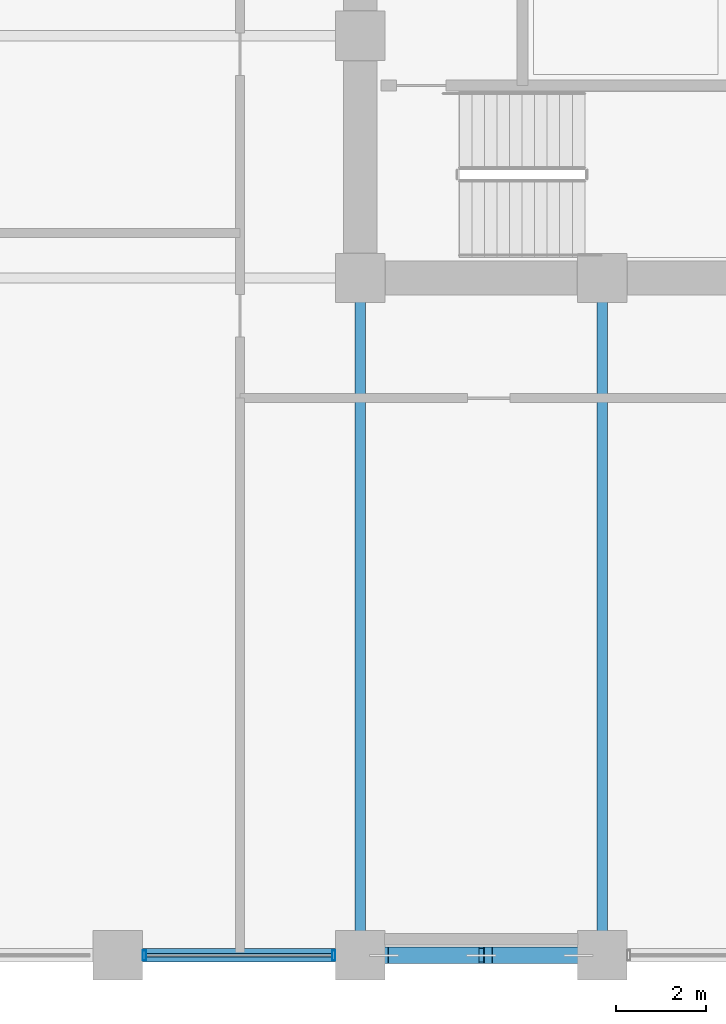
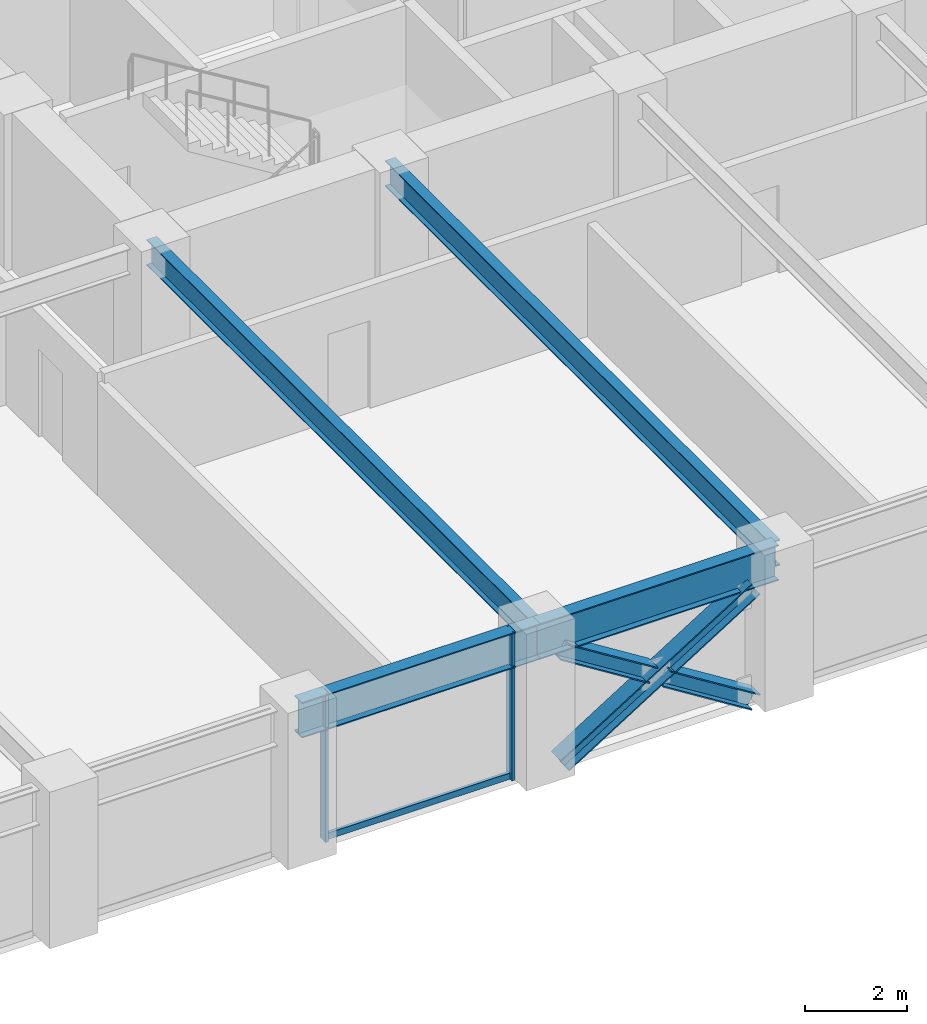
# One storey, part 4 of 29: 6 members, 4 beams, 1 element without a shape of its own.
"""IFC4 building model written with IfcOpenShell, lengths in metres."""

from ifc_helpers import new_model, si_unit, direction, frame, origin, origin_2d, place, context, subcontext, project, spatial, hollow_rectangle, i_section, extrude, material, layer, layer_set, material_profile, profile_set, type_object, element, aggregate, save


model = new_model("IFC4")

# Units and contexts
model_context = context("Model", 3, precision=1e-05, world=origin(), true_north=direction((0.0, 1.0)))
body_context = subcontext(model_context, "Body", "Model", "MODEL_VIEW")
ifc_project = project(units=[si_unit("LENGTHUNIT", "METRE"), si_unit("AREAUNIT", "SQUARE_METRE"), si_unit("VOLUMEUNIT", "CUBIC_METRE"), si_unit("PLANEANGLEUNIT", "RADIAN"), si_unit("MASSUNIT", "GRAM", prefix="KILO")], contexts=[model_context])

# Site, building, storey
site_placement = place(None, origin())
site = spatial("IfcSite", under=ifc_project, at=site_placement, CompositionType="ELEMENT")
building_placement = place(site_placement, origin())
building = spatial("IfcBuilding", under=site, at=building_placement, Name="Surkhivell Harbour Commons", CompositionType="ELEMENT")
storey_placement = place(building_placement, frame((0.0, 0.0, 90.75)))
storey = spatial("IfcBuildingStorey", under=building, at=storey_placement, Name="L23", CompositionType="ELEMENT", Elevation=90.75)

# Beams
ifc_material_1 = material(Name="Steel S355", Category="steel")
ifc_material_profile_1 = material_profile(ifc_material_1, i_section(OverallWidth=0.22998046875, OverallDepth=0.616943359375, WebThickness=0.01318359375, FlangeThickness=0.022216796875, at=origin_2d()), Name="UB610x229x140")
ifc_profile_set_1 = profile_set([ifc_material_profile_1], Name="Steel S355")
beam_type_1 = type_object("IfcBeamType", Name="BM-GRD-610B", PredefinedType="BEAM", material=ifc_profile_set_1)
for number, where, z_axis, x_axis, name in (
    (1, (-10.800048828125, -25.89990234375, 3.261474609375), (0.0, 1.0, 0.0), (-1.0, 0.0, 0.0), "L23 Floor Girder (-10.8,-25.9)"),
    (2, (-5.39990234375, -25.89990234375, 3.261474609375), (0.0, 1.0, 0.0), (-1.0, 0.0, 0.0), "L23 Floor Girder (-5.4,-25.9)"),
):
    element("IfcBeam", number, at=place(storey_placement, frame(where, z_axis=z_axis, x_axis=x_axis)), inside=storey, type_object=beam_type_1, Name=name, PredefinedType="BEAM", context=body_context, shape_type="SweptSolid", body=[
        extrude(i_section(OverallWidth=0.22998046875, OverallDepth=0.616943359375, WebThickness=0.01318359375, FlangeThickness=0.022216796875, at=origin_2d()), origin(), (0.0, 0.0, 1.0), 15.099853515625),
    ])
ifc_material_2 = material(Name="Steel S460", Category="steel")
ifc_material_profile_2 = material_profile(ifc_material_2, i_section(OverallWidth=0.2939453125, OverallDepth=0.85107421875, WebThickness=0.01611328125, FlangeThickness=0.02685546875, at=origin_2d()), Name="UB838x292x226")
ifc_profile_set_2 = profile_set([ifc_material_profile_2], Name="Steel S460")
beam_type_2 = type_object("IfcBeamType", Name="BM-SPN-838", PredefinedType="SPANDREL", material=ifc_profile_set_2)
beam_1_placement = place(storey_placement, frame((-16.199951171875, -25.89990234375, 3.14453125), z_axis=(1.0, 0.0, 0.0), x_axis=(0.0, 1.0, 0.0)))
element("IfcBeam", 3, at=beam_1_placement, inside=storey, type_object=beam_type_2, Name="L23 Tube Spandrel (-16.2,-25.9)", PredefinedType="SPANDREL", context=body_context, shape_type="SweptSolid", body=[
    extrude(i_section(OverallWidth=0.2939453125, OverallDepth=0.85107421875, WebThickness=0.01611328125, FlangeThickness=0.02685546875, at=origin_2d()), origin(), (0.0, 0.0, 1.0), 5.39990234375),
])
beam_2_placement = place(storey_placement, frame((-10.800048828125, -25.89990234375, 3.14453125), z_axis=(1.0, 0.0, 0.0), x_axis=(0.0, 1.0, 0.0)))
element("IfcBeam", 4, at=beam_2_placement, inside=storey, type_object=beam_type_2, Name="L23 Tube Spandrel (-10.8,-25.9)", PredefinedType="SPANDREL", context=body_context, shape_type="SweptSolid", body=[
    extrude(i_section(OverallWidth=0.2939453125, OverallDepth=0.85107421875, WebThickness=0.01611328125, FlangeThickness=0.02685546875, at=origin_2d()), origin(), (0.0, 0.0, 1.0), 5.400146484375),
])

# Curtain wall, members
ifc_material_3 = material(Name="Anodised pale-metal aluminium and insulated glazing", Category="aluminium")
ifc_layer = layer(ifc_material_3, 0.205078125)
ifc_layer_set = layer_set([ifc_layer], Name="Anodised pale-metal aluminium and insulated glazing")
curtain_wall_type = type_object("IfcCurtainWallType", Name="CW-SYS-Z2", PredefinedType="NOTDEFINED", material=ifc_layer_set)
curtain_wall_placement = place(storey_placement, origin())
curtain_wall = element("IfcCurtainWall", 5, at=curtain_wall_placement, inside=storey, type_object=curtain_wall_type, Name="L23 Curtain Wall CW-L23-E00S1", PredefinedType="NOTDEFINED")
ifc_material_4 = material(Name="Anodised pale-metal aluminium alloy 6063-T6", Category="aluminium")
ifc_material_profile_3 = material_profile(ifc_material_4, hollow_rectangle(XDim=0.074951171875, YDim=0.219970703125, WallThickness=0.00390625, at=origin_2d()), Name="ALU-MULL-75x220")
ifc_profile_set_3 = profile_set([ifc_material_profile_3], Name="Anodised pale-metal aluminium alloy 6063-T6")
member_type_1 = type_object("IfcMemberType", Name="CWM-220", PredefinedType="MULLION", material=ifc_profile_set_3)
member_1_placement = place(storey_placement, frame((-15.610595703125, -25.89990234375, 0.0), z_axis=(0.0, 0.0, 1.0), x_axis=(1.0, 0.0, 0.0)))
member_1 = element("IfcMember", 6, at=member_1_placement, type_object=member_type_1, Name="CW-Z2 mullion 3", PredefinedType="MULLION", context=body_context, shape_type="SweptSolid", body=[
    extrude(hollow_rectangle(XDim=0.074951171875, YDim=0.219970703125, WallThickness=0.00390625, at=origin_2d()), origin(), (0.0, 0.0, 1.0), 3.570068359375),
])
member_2_placement = place(storey_placement, frame((-11.389404296875, -25.89990234375, 0.0), z_axis=(0.0, 0.0, 1.0), x_axis=(1.0, 0.0, 0.0)))
member_2 = element("IfcMember", 7, at=member_2_placement, type_object=member_type_1, Name="CW-Z2 mullion 4", PredefinedType="MULLION", context=body_context, shape_type="SweptSolid", body=[
    extrude(hollow_rectangle(XDim=0.074951171875, YDim=0.219970703125, WallThickness=0.00390625, at=origin_2d()), origin(), (0.0, 0.0, 1.0), 3.570068359375),
])
ifc_material_profile_4 = material_profile(ifc_material_4, hollow_rectangle(XDim=0.074951171875, YDim=0.14990234375, WallThickness=0.00341796875, at=origin_2d()), Name="ALU-TRAN-75x150")
ifc_profile_set_4 = profile_set([ifc_material_profile_4], Name="Anodised pale-metal aluminium alloy 6063-T6")
member_type_2 = type_object("IfcMemberType", Name="CWT-150", PredefinedType="USERDEFINED", material=ifc_profile_set_4)
member_3_placement = place(storey_placement, frame((-15.572998046875, -25.89990234375, 0.074951171875), z_axis=(1.0, 0.0, 0.0), x_axis=(0.0, 1.0, 0.0)))
member_3 = element("IfcMember", 8, at=member_3_placement, type_object=member_type_2, Name="CW-Z2 transom 3.1", ObjectType="TRANSOM", PredefinedType="USERDEFINED", context=body_context, shape_type="SweptSolid", body=[
    extrude(hollow_rectangle(XDim=0.074951171875, YDim=0.14990234375, WallThickness=0.00341796875, at=origin_2d()), origin(), (0.0, 0.0, 1.0), 4.14599609375),
])
aggregate(curtain_wall, [member_1, member_2, member_3])

# Members
ifc_material_profile_5 = material_profile(ifc_material_2, i_section(OverallWidth=0.375, OverallDepth=0.375, WebThickness=0.0166015625, FlangeThickness=0.027099609375, at=origin_2d()), Name="UC356x368x202")
ifc_profile_set_5 = profile_set([ifc_material_profile_5], Name="Steel S460")
member_type_3 = type_object("IfcMemberType", Name="MEM-BRC-UC356", PredefinedType="BRACE", material=ifc_profile_set_5)
member_4_placement = place(storey_placement, frame((-10.264892578125, -25.89990234375, 0.008056640625), z_axis=(0.847232535652, 0.0, 0.53122220448), x_axis=(0.0, 1.0, 0.0)))
element("IfcMember", 9, at=member_4_placement, inside=storey, type_object=member_type_3, Name="L23 Perimeter Mega-Brace MB- 07", PredefinedType="BRACE", context=body_context, shape_type="SweptSolid", body=[
    extrude(i_section(OverallWidth=0.375, OverallDepth=0.375, WebThickness=0.0166015625, FlangeThickness=0.027099609375, at=origin_2d()), origin(), (0.0, 0.0, 1.0), 5.110595703125),
])
member_5_placement = place(storey_placement, frame((-5.93505859375, -25.89990234375, 0.008056640625), z_axis=(-0.847206308526, 0.0, 0.53126403115), x_axis=(0.0, -1.0, 0.0)))
element("IfcMember", 10, at=member_5_placement, inside=storey, type_object=member_type_3, Name="L23 Perimeter Mega-Brace MB- 08", PredefinedType="BRACE", context=body_context, shape_type="SweptSolid", body=[
    extrude(i_section(OverallWidth=0.375, OverallDepth=0.375, WebThickness=0.0166015625, FlangeThickness=0.027099609375, at=origin_2d()), origin(), (0.0, 0.0, 1.0), 2.37548828125),
])
member_6_placement = place(storey_placement, frame((-8.25244140625, -25.89990234375, 1.461181640625), z_axis=(-0.84725256761, 0.0, 0.53119025469), x_axis=(0.0, -1.0, 0.0)))
element("IfcMember", 11, at=member_6_placement, inside=storey, type_object=member_type_3, Name="L23 Perimeter Mega-Brace MB- 09", PredefinedType="BRACE", context=body_context, shape_type="SweptSolid", body=[
    extrude(i_section(OverallWidth=0.375, OverallDepth=0.375, WebThickness=0.0166015625, FlangeThickness=0.027099609375, at=origin_2d()), origin(), (0.0, 0.0, 1.0), 2.375244140625),
])

save(model, "model.ifc")
